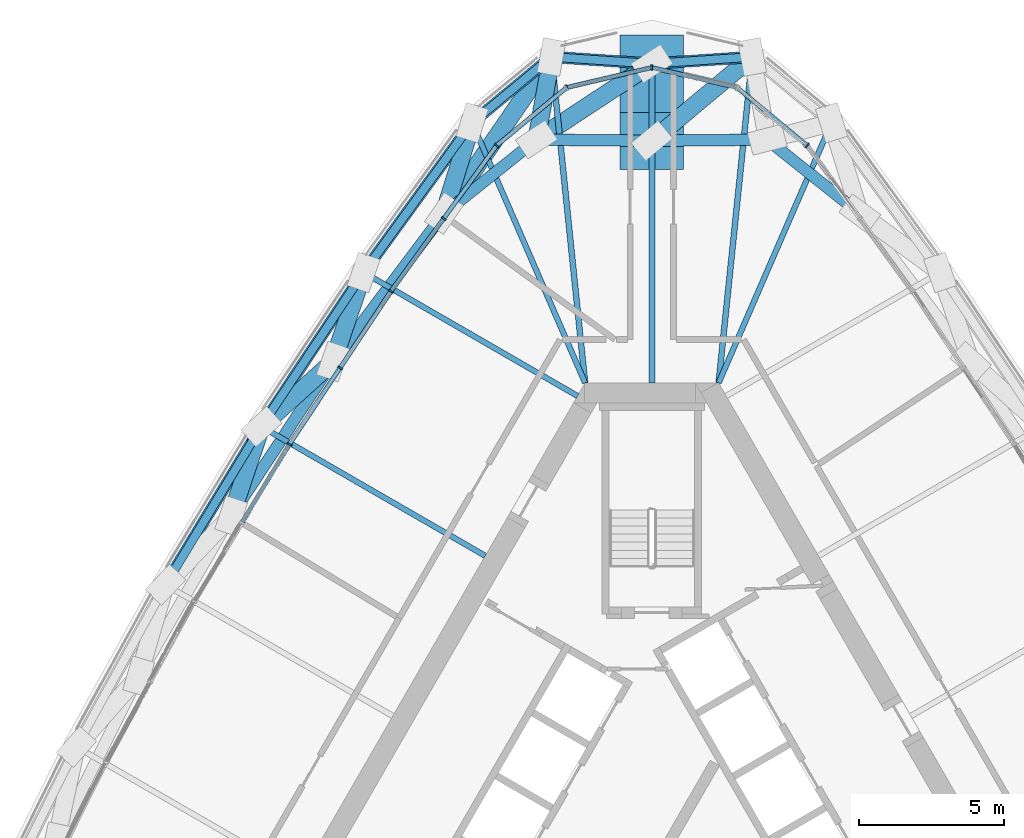
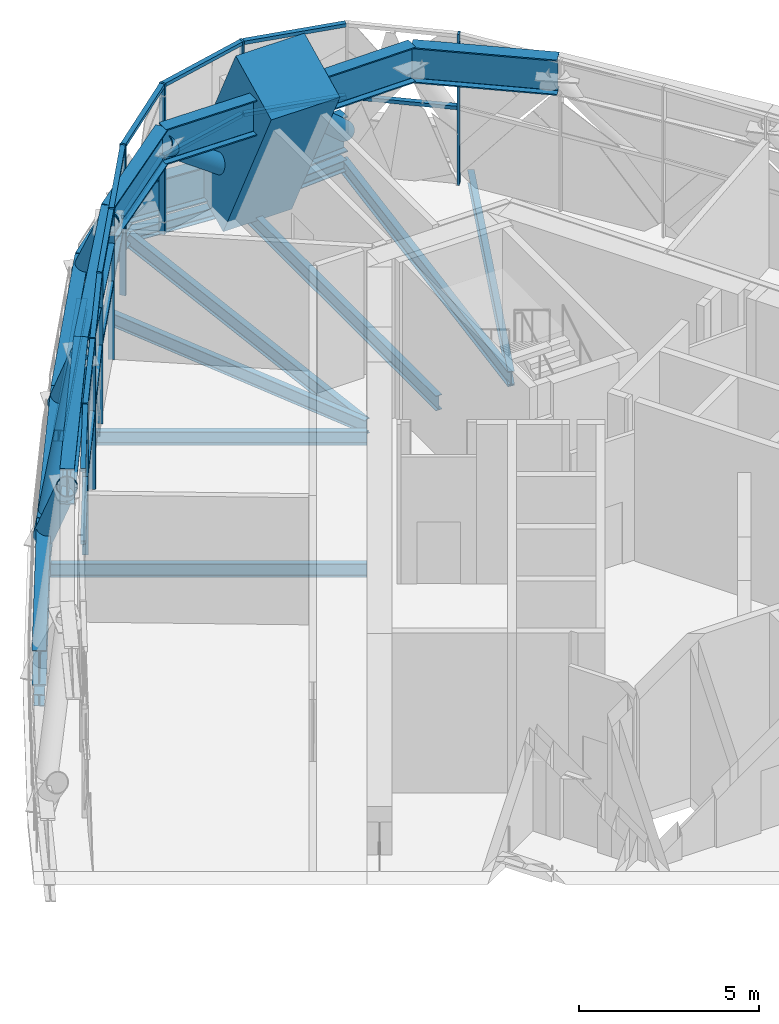
# One storey, part 7 of 33: 46 members, 13 beams, 2 elements without a shape of their own.
"""IFC4 building model written with IfcOpenShell, lengths in metres."""

from ifc_helpers import new_model, si_unit, direction, frame, origin, origin_2d, place, context, subcontext, project, spatial, rectangle, hollow_circle, i_section, extrude, material, material_profile, profile_set, type_object, element, aggregate, save


model = new_model("IFC4")

# Units and contexts
model_context = context("Model", 3, precision=1e-05, world=origin(), true_north=direction((0.0, 1.0)))
body_context = subcontext(model_context, "Body", "Model", "MODEL_VIEW")
ifc_project = project(units=[si_unit("LENGTHUNIT", "METRE"), si_unit("AREAUNIT", "SQUARE_METRE"), si_unit("VOLUMEUNIT", "CUBIC_METRE"), si_unit("PLANEANGLEUNIT", "RADIAN"), si_unit("MASSUNIT", "GRAM", prefix="KILO")], contexts=[model_context])

# Site, building, storey
site_placement = place(None, origin())
site = spatial("IfcSite", under=ifc_project, at=site_placement, CompositionType="ELEMENT")
building_placement = place(site_placement, origin())
building = spatial("IfcBuilding", under=site, at=building_placement, Name="Mestral Congress Tower", CompositionType="ELEMENT")
storey_placement = place(building_placement, frame((0.0, 0.0, 256.199951171875)))
storey = spatial("IfcBuildingStorey", under=building, at=storey_placement, Name="L60", CompositionType="ELEMENT", Elevation=256.199951171875)

# Members
ifc_material_1 = material(Name="Steel S355", Category="steel")
ifc_material_profile_1 = material_profile(ifc_material_1, i_section(OverallWidth=0.39990234375, OverallDepth=1.199951171875, WebThickness=0.02001953125, FlangeThickness=0.0400390625, FilletRadius=0.010009765625, at=origin_2d()), Name="WPG 1200")
ifc_profile_set_1 = profile_set([ifc_material_profile_1], Name="Steel S355")
member_type_1 = type_object("IfcMemberType", Name="Belt chord WPG 1200 S355", PredefinedType="CHORD", material=ifc_profile_set_1)
for number, where, z_axis, x_axis, name in (
    (1, (3.47216796875, 27.97900390625, 0.60009765625), (-0.997724843222, -0.067417632846, 0.0), (0.067417632846, -0.997724843222, 0.0), "MB-L60-BC4-N1"),
    (2, (0.0, 27.744384765625, 0.60009765625), (-0.997724843222, 0.067417632846, 0.0), (-0.067417632846, -0.997724843222, 0.0), "MB-L60-BC4-N"),
):
    element("IfcMember", number, at=place(storey_placement, frame(where, z_axis=z_axis, x_axis=x_axis)), inside=storey, type_object=member_type_1, Name=name, PredefinedType="CHORD", context=body_context, shape_type="SweptSolid", body=[
        extrude(i_section(OverallWidth=0.39990234375, OverallDepth=1.199951171875, WebThickness=0.02001953125, FlangeThickness=0.0400390625, FilletRadius=0.010009765625, at=origin_2d()), origin(), (0.0, 0.0, 1.0), 3.47998046875),
    ])
member_1_placement = place(storey_placement, frame((-3.47216796875, 27.97900390625, 0.60009765625), z_axis=(-0.769974479924, -0.638074682358, 0.0), x_axis=(0.638074682358, -0.769974479924, 0.0)))
element("IfcMember", 3, at=member_1_placement, inside=storey, type_object=member_type_1, Name="MB-L60-BC4-N3", PredefinedType="CHORD", context=body_context, shape_type="SweptSolid", body=[
    extrude(i_section(OverallWidth=0.39990234375, OverallDepth=1.199951171875, WebThickness=0.02001953125, FlangeThickness=0.0400390625, FilletRadius=0.010009765625, at=origin_2d()), origin(), (0.0, 0.0, 1.0), 3.56689453125),
])
for number, where, z_axis, x_axis, name in (
    (4, (-6.218505859375, 25.703125, 0.60009765625), (-0.58698695142, -0.80959639257, 0.0), (0.80959639257, -0.58698695142, 0.0), "MB-L60-BC4-W00"),
    (5, (-9.974853515625, 20.522216796875, 0.60009765625), (-0.552911723663, -0.833239836923, 0.0), (0.833239836923, -0.552911723663, 0.0), "MB-L60-BC4-W01"),
):
    element("IfcMember", number, at=place(storey_placement, frame(where, z_axis=z_axis, x_axis=x_axis)), inside=storey, type_object=member_type_1, Name=name, PredefinedType="CHORD", context=body_context, shape_type="SweptSolid", body=[
        extrude(i_section(OverallWidth=0.39990234375, OverallDepth=1.199951171875, WebThickness=0.02001953125, FlangeThickness=0.0400390625, FilletRadius=0.010009765625, at=origin_2d()), origin(), (0.0, 0.0, 1.0), 6.3994140625),
    ])
member_2_placement = place(storey_placement, frame((-13.51318359375, 15.18994140625, 0.60009765625), z_axis=(-0.517874683363, -0.855456493535, 0.0), x_axis=(0.855456493535, -0.517874683363, 0.0)))
element("IfcMember", 6, at=member_2_placement, inside=storey, type_object=member_type_1, Name="MB-L60-BC4-W02", PredefinedType="CHORD", context=body_context, shape_type="SweptSolid", body=[
    extrude(i_section(OverallWidth=0.39990234375, OverallDepth=1.199951171875, WebThickness=0.02001953125, FlangeThickness=0.0400390625, FilletRadius=0.010009765625, at=origin_2d()), origin(), (0.0, 0.0, 1.0), 6.399658203125),
])
member_3_placement = place(storey_placement, frame((7.1953125, 22.56103515625, 4.5), z_axis=(-0.781624111354, 0.623749748336, 0.0), x_axis=(-0.623749748336, -0.781624111354, 0.0)))
element("IfcMember", 7, at=member_3_placement, inside=storey, type_object=member_type_1, Name="MB-L60-TC4-E05", PredefinedType="CHORD", context=body_context, shape_type="SweptSolid", body=[
    extrude(i_section(OverallWidth=0.39990234375, OverallDepth=1.199951171875, WebThickness=0.02001953125, FlangeThickness=0.0400390625, FilletRadius=0.010009765625, at=origin_2d()), origin(), (0.0, 0.0, 1.0), 4.096435546875),
])
for number, where, z_axis, x_axis, name in (
    (8, (3.993408203125, 25.1162109375, 4.5), (-0.999954523999, -0.009536767484, 0.0), (0.009536767484, -0.999954523999, 0.0), "MB-L60-TC4-N1"),
    (9, (0.0, 25.078125, 4.5), (-0.999954523999, 0.009536767484, 0.0), (-0.009536767484, -0.999954523999, 0.0), "MB-L60-TC4-N"),
):
    element("IfcMember", number, at=place(storey_placement, frame(where, z_axis=z_axis, x_axis=x_axis)), inside=storey, type_object=member_type_1, Name=name, PredefinedType="CHORD", context=body_context, shape_type="SweptSolid", body=[
        extrude(i_section(OverallWidth=0.39990234375, OverallDepth=1.199951171875, WebThickness=0.02001953125, FlangeThickness=0.0400390625, FilletRadius=0.010009765625, at=origin_2d()), origin(), (0.0, 0.0, 1.0), 3.99365234375),
    ])
member_4_placement = place(storey_placement, frame((-3.993408203125, 25.1162109375, 4.5), z_axis=(-0.781624111354, -0.623749748336, 0.0), x_axis=(0.623749748336, -0.781624111354, 0.0)))
element("IfcMember", 10, at=member_4_placement, inside=storey, type_object=member_type_1, Name="MB-L60-TC4-N3", PredefinedType="CHORD", context=body_context, shape_type="SweptSolid", body=[
    extrude(i_section(OverallWidth=0.39990234375, OverallDepth=1.199951171875, WebThickness=0.02001953125, FlangeThickness=0.0400390625, FilletRadius=0.010009765625, at=origin_2d()), origin(), (0.0, 0.0, 1.0), 4.096435546875),
])
for number, where, z_axis, x_axis, name in (
    (11, (-7.1953125, 22.56103515625, 4.5), (-0.599566499574, -0.800324941876, 0.0), (0.800324941876, -0.599566499574, 0.0), "MB-L60-TC4-W00"),
    (12, (-11.031982421875, 17.439697265625, 4.5), (-0.550723144035, -0.834687976806, 0.0), (0.834687976806, -0.550723144035, 0.0), "MB-L60-TC4-W01"),
):
    element("IfcMember", number, at=place(storey_placement, frame(where, z_axis=z_axis, x_axis=x_axis)), inside=storey, type_object=member_type_1, Name=name, PredefinedType="CHORD", context=body_context, shape_type="SweptSolid", body=[
        extrude(i_section(OverallWidth=0.39990234375, OverallDepth=1.199951171875, WebThickness=0.02001953125, FlangeThickness=0.0400390625, FilletRadius=0.010009765625, at=origin_2d()), origin(), (0.0, 0.0, 1.0), 6.399169921875),
    ])
ifc_material_profile_2 = material_profile(ifc_material_1, hollow_circle(Radius=0.304931640625, WallThickness=0.02490234375, at=origin_2d()), Name="CHS 610x25")
ifc_profile_set_2 = profile_set([ifc_material_profile_2], Name="Steel S355")
member_type_2 = type_object("IfcMemberType", Name="Belt diagonal CHS 610x25 S355", PredefinedType="BRACE", material=ifc_profile_set_2)
member_5_placement = place(storey_placement, frame((3.47216796875, 27.97900390625, 0.60009765625), z_axis=(-0.581281573418, -0.485641095159, 0.652889316115), x_axis=(0.641149861727, -0.767415698828, 0.0)))
element("IfcMember", 13, at=member_5_placement, inside=storey, type_object=member_type_2, Name="MD-L60-BD4-N1.N", PredefinedType="BRACE", context=body_context, shape_type="SweptSolid", body=[
    extrude(hollow_circle(Radius=0.304931640625, WallThickness=0.02490234375, at=origin_2d()), origin(), (0.0, 0.0, 1.0), 5.973388671875),
])
member_6_placement = place(storey_placement, frame((0.0, 27.744384765625, 0.60009765625), z_axis=(-0.64727282998, -0.425988385079, 0.632116903228), x_axis=(0.549752495877, -0.835327596382, 0.0)))
element("IfcMember", 14, at=member_6_placement, inside=storey, type_object=member_type_2, Name="MD-L60-BD4-N.N3", PredefinedType="BRACE", context=body_context, shape_type="SweptSolid", body=[
    extrude(hollow_circle(Radius=0.304931640625, WallThickness=0.02490234375, at=origin_2d()), origin(), (0.0, 0.0, 1.0), 6.169677734375),
])
member_7_placement = place(storey_placement, frame((-3.47216796875, 27.97900390625, 0.60009765625), z_axis=(-0.107122095193, -0.588343647882, 0.801484004031), x_axis=(0.983825580092, -0.179129081826, 0.0)))
element("IfcMember", 15, at=member_7_placement, inside=storey, type_object=member_type_2, Name="MD-L60-BD4-N3.N3", PredefinedType="BRACE", context=body_context, shape_type="SweptSolid", body=[
    extrude(hollow_circle(Radius=0.304931640625, WallThickness=0.02490234375, at=origin_2d()), origin(), (0.0, 0.0, 1.0), 4.865966796875),
])
member_8_placement = place(storey_placement, frame((-3.47216796875, 27.97900390625, 0.60009765625), z_axis=(-0.487089694558, -0.708819311582, 0.510214477434), x_axis=(0.824163268254, -0.566352281943, 0.0)))
element("IfcMember", 16, at=member_8_placement, inside=storey, type_object=member_type_2, Name="MD-L60-BD4-N3.W00", PredefinedType="BRACE", context=body_context, shape_type="SweptSolid", body=[
    extrude(hollow_circle(Radius=0.304931640625, WallThickness=0.02490234375, at=origin_2d()), origin(), (0.0, 0.0, 1.0), 7.6435546875),
])
member_9_placement = place(storey_placement, frame((-6.218505859375, 25.703125, 0.60009765625), z_axis=(-0.191434622879, -0.615786952376, 0.764303090696), x_axis=(0.954919894336, -0.296863597299, 0.0)))
element("IfcMember", 17, at=member_9_placement, inside=storey, type_object=member_type_2, Name="MD-L60-BD4-W00.W00", PredefinedType="BRACE", context=body_context, shape_type="SweptSolid", body=[
    extrude(hollow_circle(Radius=0.304931640625, WallThickness=0.02490234375, at=origin_2d()), origin(), (0.0, 0.0, 1.0), 5.1025390625),
])
member_10_placement = place(storey_placement, frame((-9.974853515625, 20.522216796875, 0.60009765625), z_axis=(-0.208006443312, -0.606533337935, 0.767366033595), x_axis=(0.945920988554, -0.324397107591, 0.0)))
element("IfcMember", 18, at=member_10_placement, inside=storey, type_object=member_type_2, Name="MD-L60-BD4-W01.W01", PredefinedType="BRACE", context=body_context, shape_type="SweptSolid", body=[
    extrude(hollow_circle(Radius=0.304931640625, WallThickness=0.02490234375, at=origin_2d()), origin(), (0.0, 0.0, 1.0), 5.082275390625),
])
member_11_placement = place(storey_placement, frame((-13.51318359375, 15.18994140625, 0.60009765625), z_axis=(0.482656382674, 0.437634415659, 0.75862964251), x_axis=(-0.671710761631, 0.740813507375, 0.0)))
element("IfcMember", 19, at=member_11_placement, inside=storey, type_object=member_type_2, Name="MD-L60-BD4-W02.W01", PredefinedType="BRACE", context=body_context, shape_type="SweptSolid", body=[
    extrude(hollow_circle(Radius=0.304931640625, WallThickness=0.02490234375, at=origin_2d()), origin(), (0.0, 0.0, 1.0), 5.140625),
])
member_12_placement = place(storey_placement, frame((-13.51318359375, 15.18994140625, 0.60009765625), z_axis=(-0.205116866424, -0.608004419365, 0.766979593693), x_axis=(0.947532230317, -0.319660245433, 0.0)))
element("IfcMember", 20, at=member_12_placement, inside=storey, type_object=member_type_2, Name="MD-L60-BD4-W02.W02", PredefinedType="BRACE", context=body_context, shape_type="SweptSolid", body=[
    extrude(hollow_circle(Radius=0.304931640625, WallThickness=0.02490234375, at=origin_2d()), origin(), (0.0, 0.0, 1.0), 5.084716796875),
])

# Curtain wall, members
ifc_material_2 = material(Name="Clear low-emissivity double glazing", Category="glass")
curtain_wall_type = type_object("IfcCurtainWallType", Name="Facade refuge band screen", PredefinedType="USERDEFINED", material=ifc_material_2)
placement = place(storey_placement, origin())
curtain_wall_1 = element("IfcCurtainWall", 21, at=placement, inside=storey, type_object=curtain_wall_type, Name="Facade refuge band screen face 3", ObjectType="CURTAIN WALL", PredefinedType="USERDEFINED")
ifc_material_3 = material(Name="Anodised aluminium", Category="aluminium")
ifc_material_profile_3 = material_profile(ifc_material_3, rectangle(XDim=0.179931640625, YDim=0.06005859375, at=origin_2d()), Name="CW3 mullion 180 x 60")
ifc_profile_set_3 = profile_set([ifc_material_profile_3], Name="Anodised aluminium")
member_type_3 = type_object("IfcMemberType", Name="Facade refuge band screen mullion", PredefinedType="MULLION", material=ifc_profile_set_3)
member_13_placement = place(storey_placement, frame((-7.201416015625, 22.388427734375, 0.0), z_axis=(0.0, 0.0, 1.0), x_axis=(-0.80957983036, 0.587009794019, 0.0)))
member_13 = element("IfcMember", 22, at=member_13_placement, type_object=member_type_3, Name="Facade refuge band screen mullion", PredefinedType="MULLION", context=body_context, shape_type="SweptSolid", body=[
    extrude(rectangle(XDim=0.179931640625, YDim=0.06005859375, at=origin_2d()), origin(), (0.0, 0.0, 1.0), 5.10009765625),
])
member_14_placement = place(storey_placement, frame((-9.02978515625, 19.866455078125, 0.0), z_axis=(0.0, 0.0, 1.0), x_axis=(-0.821586248532, 0.570084236076, 0.0)))
member_14 = element("IfcMember", 23, at=member_14_placement, type_object=member_type_3, Name="Facade refuge band screen mullion", PredefinedType="MULLION", context=body_context, shape_type="SweptSolid", body=[
    extrude(rectangle(XDim=0.179931640625, YDim=0.06005859375, at=origin_2d()), origin(), (0.0, 0.0, 1.0), 5.10009765625),
])
member_15_placement = place(storey_placement, frame((-10.785888671875, 17.22021484375, 0.0), z_axis=(0.0, 0.0, 1.0), x_axis=(-0.833238868178, 0.552913183563, 0.0)))
member_15 = element("IfcMember", 24, at=member_15_placement, type_object=member_type_3, Name="Facade refuge band screen mullion", PredefinedType="MULLION", context=body_context, shape_type="SweptSolid", body=[
    extrude(rectangle(XDim=0.179931640625, YDim=0.06005859375, at=origin_2d()), origin(), (0.0, 0.0, 1.0), 5.10009765625),
])
member_16_placement = place(storey_placement, frame((-12.5419921875, 14.573974609375, 0.0), z_axis=(0.0, 0.0, 1.0), x_axis=(-0.844533605975, 0.535502556837, 0.0)))
member_16 = element("IfcMember", 25, at=member_16_placement, type_object=member_type_3, Name="Facade refuge band screen mullion", PredefinedType="MULLION", context=body_context, shape_type="SweptSolid", body=[
    extrude(rectangle(XDim=0.179931640625, YDim=0.06005859375, at=origin_2d()), origin(), (0.0, 0.0, 1.0), 5.10009765625),
])

curtain_wall_2 = element("IfcCurtainWall", 26, at=placement, inside=storey, type_object=curtain_wall_type, Name="Facade refuge band screen corner 2", ObjectType="CURTAIN WALL", PredefinedType="USERDEFINED")
member_17_placement = place(storey_placement, frame((5.37255859375, 24.910400390625, 0.0), z_axis=(0.0, 0.0, 1.0), x_axis=(0.638088083599, 0.769963374174, 0.0)))
member_17 = element("IfcMember", 27, at=member_17_placement, type_object=member_type_3, Name="Facade refuge band screen mullion", PredefinedType="MULLION", context=body_context, shape_type="SweptSolid", body=[
    extrude(rectangle(XDim=0.179931640625, YDim=0.06005859375, at=origin_2d()), origin(), (0.0, 0.0, 1.0), 5.10009765625),
])
member_18_placement = place(storey_placement, frame((0.0, 27.61328125, 0.0), z_axis=(0.0, 0.0, 1.0), x_axis=(0.0, 1.0, 0.0)))
member_18 = element("IfcMember", 28, at=member_18_placement, type_object=member_type_3, Name="Facade refuge band screen mullion", PredefinedType="MULLION", context=body_context, shape_type="SweptSolid", body=[
    extrude(rectangle(XDim=0.179931640625, YDim=0.06005859375, at=origin_2d()), origin(), (0.0, 0.0, 1.0), 5.10009765625),
])
member_19_placement = place(storey_placement, frame((-2.9462890625, 26.921142578125, 0.0), z_axis=(0.0, 0.0, 1.0), x_axis=(-0.445149435481, 0.895456297142, 0.0)))
member_19 = element("IfcMember", 29, at=member_19_placement, type_object=member_type_3, Name="Facade refuge band screen mullion", PredefinedType="MULLION", context=body_context, shape_type="SweptSolid", body=[
    extrude(rectangle(XDim=0.179931640625, YDim=0.06005859375, at=origin_2d()), origin(), (0.0, 0.0, 1.0), 5.10009765625),
])
member_20_placement = place(storey_placement, frame((-5.37255859375, 24.910400390625, 0.0), z_axis=(0.0, 0.0, 1.0), x_axis=(-0.638088083599, 0.769963374174, 0.0)))
member_20 = element("IfcMember", 30, at=member_20_placement, type_object=member_type_3, Name="Facade refuge band screen mullion", PredefinedType="MULLION", context=body_context, shape_type="SweptSolid", body=[
    extrude(rectangle(XDim=0.179931640625, YDim=0.06005859375, at=origin_2d()), origin(), (0.0, 0.0, 1.0), 5.10009765625),
])

# Member
ifc_material_profile_4 = material_profile(ifc_material_3, rectangle(XDim=0.14990234375, YDim=0.1201171875, at=origin_2d()), Name="CW3 transom 150 x 120")
ifc_profile_set_4 = profile_set([ifc_material_profile_4], Name="Anodised aluminium")
member_type_4 = type_object("IfcMemberType", Name="Facade refuge band screen transom", PredefinedType="USERDEFINED", material=ifc_profile_set_4)
member_21_placement = place(storey_placement, frame((-5.390380859375, 24.88623046875, 2.60009765625), z_axis=(-0.58696888099, -0.809609493984, 0.0), x_axis=(0.809609493984, -0.58696888099, 0.0)))
member_21 = element("IfcMember", 31, at=member_21_placement, type_object=member_type_4, Name="Facade refuge band screen transom", ObjectType="TRANSOM", PredefinedType="USERDEFINED", context=body_context, shape_type="SweptSolid", body=[
    extrude(rectangle(XDim=0.14990234375, YDim=0.1201171875, at=origin_2d()), origin(), (0.0, 0.0, 1.0), 3.054931640625),
])

member_22_placement = place(storey_placement, frame((-5.390380859375, 24.88623046875, 5.0400390625), z_axis=(-0.58696888099, -0.809609493984, 0.0), x_axis=(0.809609493984, -0.58696888099, 0.0)))
member_22 = element("IfcMember", 32, at=member_22_placement, type_object=member_type_4, Name="Facade refuge band screen transom", ObjectType="TRANSOM", PredefinedType="USERDEFINED", context=body_context, shape_type="SweptSolid", body=[
    extrude(rectangle(XDim=0.14990234375, YDim=0.1201171875, at=origin_2d()), origin(), (0.0, 0.0, 1.0), 3.054931640625),
])

member_23_placement = place(storey_placement, frame((-7.218994140625, 22.3642578125, 2.60009765625), z_axis=(-0.58696888099, -0.809609493984, 0.0), x_axis=(0.809609493984, -0.58696888099, 0.0)))
member_23 = element("IfcMember", 33, at=member_23_placement, type_object=member_type_4, Name="Facade refuge band screen transom", ObjectType="TRANSOM", PredefinedType="USERDEFINED", context=body_context, shape_type="SweptSolid", body=[
    extrude(rectangle(XDim=0.14990234375, YDim=0.1201171875, at=origin_2d()), origin(), (0.0, 0.0, 1.0), 3.054931640625),
])

member_24_placement = place(storey_placement, frame((-7.218994140625, 22.3642578125, 5.0400390625), z_axis=(-0.58696888099, -0.809609493984, 0.0), x_axis=(0.809609493984, -0.58696888099, 0.0)))
member_24 = element("IfcMember", 34, at=member_24_placement, type_object=member_type_4, Name="Facade refuge band screen transom", ObjectType="TRANSOM", PredefinedType="USERDEFINED", context=body_context, shape_type="SweptSolid", body=[
    extrude(rectangle(XDim=0.14990234375, YDim=0.1201171875, at=origin_2d()), origin(), (0.0, 0.0, 1.0), 3.054931640625),
])

member_25_placement = place(storey_placement, frame((-9.04638671875, 19.841552734375, 2.60009765625), z_axis=(-0.552908939188, -0.833241684606, 0.0), x_axis=(0.833241684606, -0.552908939188, 0.0)))
member_25 = element("IfcMember", 35, at=member_25_placement, type_object=member_type_4, Name="Facade refuge band screen transom", ObjectType="TRANSOM", PredefinedType="USERDEFINED", context=body_context, shape_type="SweptSolid", body=[
    extrude(rectangle(XDim=0.14990234375, YDim=0.1201171875, at=origin_2d()), origin(), (0.0, 0.0, 1.0), 3.115966796875),
])

member_26_placement = place(storey_placement, frame((-9.04638671875, 19.841552734375, 5.0400390625), z_axis=(-0.552908939188, -0.833241684606, 0.0), x_axis=(0.833241684606, -0.552908939188, 0.0)))
member_26 = element("IfcMember", 36, at=member_26_placement, type_object=member_type_4, Name="Facade refuge band screen transom", ObjectType="TRANSOM", PredefinedType="USERDEFINED", context=body_context, shape_type="SweptSolid", body=[
    extrude(rectangle(XDim=0.14990234375, YDim=0.1201171875, at=origin_2d()), origin(), (0.0, 0.0, 1.0), 3.115966796875),
])

member_27_placement = place(storey_placement, frame((-10.802490234375, 17.1953125, 2.60009765625), z_axis=(-0.552908939188, -0.833241684606, 0.0), x_axis=(0.833241684606, -0.552908939188, 0.0)))
member_27 = element("IfcMember", 37, at=member_27_placement, type_object=member_type_4, Name="Facade refuge band screen transom", ObjectType="TRANSOM", PredefinedType="USERDEFINED", context=body_context, shape_type="SweptSolid", body=[
    extrude(rectangle(XDim=0.14990234375, YDim=0.1201171875, at=origin_2d()), origin(), (0.0, 0.0, 1.0), 3.115966796875),
])

member_28_placement = place(storey_placement, frame((-10.802490234375, 17.1953125, 5.0400390625), z_axis=(-0.552908939188, -0.833241684606, 0.0), x_axis=(0.833241684606, -0.552908939188, 0.0)))
member_28 = element("IfcMember", 38, at=member_28_placement, type_object=member_type_4, Name="Facade refuge band screen transom", ObjectType="TRANSOM", PredefinedType="USERDEFINED", context=body_context, shape_type="SweptSolid", body=[
    extrude(rectangle(XDim=0.14990234375, YDim=0.1201171875, at=origin_2d()), origin(), (0.0, 0.0, 1.0), 3.115966796875),
])

member_29_placement = place(storey_placement, frame((-12.557373046875, 14.54833984375, 2.60009765625), z_axis=(-0.517902273022, -0.85543979075, 0.0), x_axis=(0.85543979075, -0.517902273022, 0.0)))
member_29 = element("IfcMember", 39, at=member_29_placement, type_object=member_type_4, Name="Facade refuge band screen transom", ObjectType="TRANSOM", PredefinedType="USERDEFINED", context=body_context, shape_type="SweptSolid", body=[
    extrude(rectangle(XDim=0.14990234375, YDim=0.1201171875, at=origin_2d()), origin(), (0.0, 0.0, 1.0), 3.115966796875),
])

member_30_placement = place(storey_placement, frame((-12.557373046875, 14.54833984375, 5.0400390625), z_axis=(-0.517902273022, -0.85543979075, 0.0), x_axis=(0.85543979075, -0.517902273022, 0.0)))
member_30 = element("IfcMember", 40, at=member_30_placement, type_object=member_type_4, Name="Facade refuge band screen transom", ObjectType="TRANSOM", PredefinedType="USERDEFINED", context=body_context, shape_type="SweptSolid", body=[
    extrude(rectangle(XDim=0.14990234375, YDim=0.1201171875, at=origin_2d()), origin(), (0.0, 0.0, 1.0), 3.115966796875),
])

aggregate(curtain_wall_1, [member_13, member_14, member_15, member_16, member_21, member_22, member_23, member_24, member_25, member_26, member_27, member_28, member_29, member_30])

member_31_placement = place(storey_placement, frame((5.349609375, 24.9296875, 2.60009765625), z_axis=(-0.769972779344, 0.638076734467, 0.0), x_axis=(-0.638076734467, -0.769972779344, 0.0)))
member_31 = element("IfcMember", 41, at=member_31_placement, type_object=member_type_4, Name="Facade refuge band screen transom", ObjectType="TRANSOM", PredefinedType="USERDEFINED", context=body_context, shape_type="SweptSolid", body=[
    extrude(rectangle(XDim=0.14990234375, YDim=0.1201171875, at=origin_2d()), origin(), (0.0, 0.0, 1.0), 3.091064453125),
])

member_32_placement = place(storey_placement, frame((2.9169921875, 26.927978515625, 2.60009765625), z_axis=(-0.973509918237, 0.228644788034, 0.0), x_axis=(-0.228644788034, -0.973509918237, 0.0)))
member_32 = element("IfcMember", 42, at=member_32_placement, type_object=member_type_4, Name="Facade refuge band screen transom", ObjectType="TRANSOM", PredefinedType="USERDEFINED", context=body_context, shape_type="SweptSolid", body=[
    extrude(rectangle(XDim=0.14990234375, YDim=0.1201171875, at=origin_2d()), origin(), (0.0, 0.0, 1.0), 2.96630859375),
])

member_33_placement = place(storey_placement, frame((2.9169921875, 26.927978515625, 5.0400390625), z_axis=(-0.973509918237, 0.228644788034, 0.0), x_axis=(-0.228644788034, -0.973509918237, 0.0)))
member_33 = element("IfcMember", 43, at=member_33_placement, type_object=member_type_4, Name="Facade refuge band screen transom", ObjectType="TRANSOM", PredefinedType="USERDEFINED", context=body_context, shape_type="SweptSolid", body=[
    extrude(rectangle(XDim=0.14990234375, YDim=0.1201171875, at=origin_2d()), origin(), (0.0, 0.0, 1.0), 2.96630859375),
])

member_34_placement = place(storey_placement, frame((-0.029296875, 27.606201171875, 2.60009765625), z_axis=(-0.973509918237, -0.228644788034, 0.0), x_axis=(0.228644788034, -0.973509918237, 0.0)))
member_34 = element("IfcMember", 44, at=member_34_placement, type_object=member_type_4, Name="Facade refuge band screen transom", ObjectType="TRANSOM", PredefinedType="USERDEFINED", context=body_context, shape_type="SweptSolid", body=[
    extrude(rectangle(XDim=0.14990234375, YDim=0.1201171875, at=origin_2d()), origin(), (0.0, 0.0, 1.0), 2.96630859375),
])

member_35_placement = place(storey_placement, frame((-0.029296875, 27.606201171875, 5.0400390625), z_axis=(-0.973509918237, -0.228644788034, 0.0), x_axis=(0.228644788034, -0.973509918237, 0.0)))
member_35 = element("IfcMember", 45, at=member_35_placement, type_object=member_type_4, Name="Facade refuge band screen transom", ObjectType="TRANSOM", PredefinedType="USERDEFINED", context=body_context, shape_type="SweptSolid", body=[
    extrude(rectangle(XDim=0.14990234375, YDim=0.1201171875, at=origin_2d()), origin(), (0.0, 0.0, 1.0), 2.96630859375),
])

member_36_placement = place(storey_placement, frame((-2.969482421875, 26.902099609375, 2.60009765625), z_axis=(-0.769972779344, -0.638076734467, 0.0), x_axis=(0.638076734467, -0.769972779344, 0.0)))
member_36 = element("IfcMember", 46, at=member_36_placement, type_object=member_type_4, Name="Facade refuge band screen transom", ObjectType="TRANSOM", PredefinedType="USERDEFINED", context=body_context, shape_type="SweptSolid", body=[
    extrude(rectangle(XDim=0.14990234375, YDim=0.1201171875, at=origin_2d()), origin(), (0.0, 0.0, 1.0), 3.091064453125),
])

member_37_placement = place(storey_placement, frame((-2.969482421875, 26.902099609375, 5.0400390625), z_axis=(-0.769972779344, -0.638076734467, 0.0), x_axis=(0.638076734467, -0.769972779344, 0.0)))
member_37 = element("IfcMember", 47, at=member_37_placement, type_object=member_type_4, Name="Facade refuge band screen transom", ObjectType="TRANSOM", PredefinedType="USERDEFINED", context=body_context, shape_type="SweptSolid", body=[
    extrude(rectangle(XDim=0.14990234375, YDim=0.1201171875, at=origin_2d()), origin(), (0.0, 0.0, 1.0), 3.091064453125),
])

aggregate(curtain_wall_2, [member_17, member_18, member_19, member_20, member_31, member_32, member_33, member_34, member_35, member_36, member_37])

# Beams
ifc_material_profile_5 = material_profile(ifc_material_1, i_section(OverallWidth=0.18994140625, OverallDepth=0.449951171875, WebThickness=0.009521484375, FlangeThickness=0.0146484375, FilletRadius=0.02099609375, at=origin_2d()), Name="IPE 450")
ifc_profile_set_5 = profile_set([ifc_material_profile_5], Name="Steel S355")
beam_type_1 = type_object("IfcBeamType", Name="Floor beam IPE 450 S355", PredefinedType="BEAM", material=ifc_profile_set_5)
for number, where, z_axis, x_axis, name in (
    (48, (6.218505859375, 25.703125, -0.52490234375), (-0.398276756213, -0.917265297207, 0.0), (0.917265297207, -0.398276756213, 0.0), "BM-L60-RB4-E06"),
    (49, (-6.218505859375, 25.703125, -0.52490234375), (0.398276756213, -0.917265297207, 0.0), (0.917265297207, 0.398276756213, 0.0), "BM-L60-RB4-W00"),
):
    element("IfcBeam", number, at=place(storey_placement, frame(where, z_axis=z_axis, x_axis=x_axis)), inside=storey, type_object=beam_type_1, Name=name, PredefinedType="BEAM", context=body_context, shape_type="SweptSolid", body=[
        extrude(i_section(OverallWidth=0.18994140625, OverallDepth=0.449951171875, WebThickness=0.009521484375, FlangeThickness=0.0146484375, FilletRadius=0.02099609375, at=origin_2d()), origin(), (0.0, 0.0, 1.0), 9.815185546875),
    ])
beam_1_placement = place(storey_placement, frame((-9.974853515625, 20.522216796875, -0.52490234375), z_axis=(0.866016768042, -0.500014957246, 0.0), x_axis=(0.500014957246, 0.866016768042, 0.0)))
element("IfcBeam", 50, at=beam_1_placement, inside=storey, type_object=beam_type_1, Name="BM-L60-RB4-W01", PredefinedType="BEAM", context=body_context, shape_type="SweptSolid", body=[
    extrude(i_section(OverallWidth=0.18994140625, OverallDepth=0.449951171875, WebThickness=0.009521484375, FlangeThickness=0.0146484375, FilletRadius=0.02099609375, at=origin_2d()), origin(), (0.0, 0.0, 1.0), 8.549560546875),
])
beam_2_placement = place(storey_placement, frame((-13.51318359375, 15.18994140625, -0.52490234375), z_axis=(0.866026556242, -0.49999800388, 0.0), x_axis=(0.49999800388, 0.866026556242, 0.0)))
element("IfcBeam", 51, at=beam_2_placement, inside=storey, type_object=beam_type_1, Name="BM-L60-RB4-W02", PredefinedType="BEAM", context=body_context, shape_type="SweptSolid", body=[
    extrude(i_section(OverallWidth=0.18994140625, OverallDepth=0.449951171875, WebThickness=0.009521484375, FlangeThickness=0.0146484375, FilletRadius=0.02099609375, at=origin_2d()), origin(), (0.0, 0.0, 1.0), 8.94775390625),
])
ifc_material_profile_6 = material_profile(ifc_material_1, i_section(OverallWidth=0.199951171875, OverallDepth=0.5, WebThickness=0.01025390625, FlangeThickness=0.01611328125, FilletRadius=0.02099609375, at=origin_2d()), Name="IPE 500")
ifc_profile_set_6 = profile_set([ifc_material_profile_6], Name="Steel S355")
beam_type_2 = type_object("IfcBeamType", Name="Floor beam IPE 500 S355", PredefinedType="BEAM", material=ifc_profile_set_6)
beam_3_placement = place(storey_placement, frame((3.47216796875, 27.97900390625, -0.550048828125), z_axis=(-0.102553883144, -0.994727450638, 0.0), x_axis=(0.994727450638, -0.102553883144, 0.0)))
element("IfcBeam", 52, at=beam_3_placement, inside=storey, type_object=beam_type_2, Name="BM-L60-RB4-N1", PredefinedType="BEAM", context=body_context, shape_type="SweptSolid", body=[
    extrude(i_section(OverallWidth=0.199951171875, OverallDepth=0.5, WebThickness=0.01025390625, FlangeThickness=0.01611328125, FilletRadius=0.02099609375, at=origin_2d()), origin(), (0.0, 0.0, 1.0), 11.3388671875),
])
beam_4_placement = place(storey_placement, frame((0.0, 27.744384765625, -0.550048828125), z_axis=(0.0, -1.0, 0.0), x_axis=(1.0, 0.0, 0.0)))
element("IfcBeam", 53, at=beam_4_placement, inside=storey, type_object=beam_type_2, Name="BM-L60-RB4-N", PredefinedType="BEAM", context=body_context, shape_type="SweptSolid", body=[
    extrude(i_section(OverallWidth=0.199951171875, OverallDepth=0.5, WebThickness=0.01025390625, FlangeThickness=0.01611328125, FilletRadius=0.02099609375, at=origin_2d()), origin(), (0.0, 0.0, 1.0), 11.04443359375),
])
beam_5_placement = place(storey_placement, frame((-3.47216796875, 27.97900390625, -0.550048828125), z_axis=(0.102553883144, -0.994727450638, 0.0), x_axis=(0.994727450638, 0.102553883144, 0.0)))
element("IfcBeam", 54, at=beam_5_placement, inside=storey, type_object=beam_type_2, Name="BM-L60-RB4-N3", PredefinedType="BEAM", context=body_context, shape_type="SweptSolid", body=[
    extrude(i_section(OverallWidth=0.199951171875, OverallDepth=0.5, WebThickness=0.01025390625, FlangeThickness=0.01611328125, FilletRadius=0.02099609375, at=origin_2d()), origin(), (0.0, 0.0, 1.0), 11.3388671875),
])

# Member
ifc_material_4 = material(Name="Concrete C60/75", Category="concrete")
ifc_material_profile_7 = material_profile(ifc_material_4, rectangle(XDim=2.199951171875, YDim=2.199951171875, at=origin_2d()), Name="RC 2200x2200")
ifc_profile_set_7 = profile_set([ifc_material_profile_7], Name="Concrete C60/75")
member_type_5 = type_object("IfcMemberType", Name="Pylon shift strut RC 2200x2200 C60/75", PredefinedType="STRUT", material=ifc_profile_set_7)
member_38_placement = place(storey_placement, frame((0.0, 27.744384765625, 0.0), z_axis=(0.0, -0.442716337563, 0.896661722421), x_axis=(1.0, 0.0, 0.0)))
element("IfcMember", 55, at=member_38_placement, inside=storey, type_object=member_type_5, Name="MS-L60-PS4-N", PredefinedType="STRUT", context=body_context, shape_type="SweptSolid", body=[
    extrude(rectangle(XDim=2.199951171875, YDim=2.199951171875, at=origin_2d()), origin(), (0.0, 0.0, 1.0), 6.0224609375),
])

# Beams
ifc_material_profile_8 = material_profile(ifc_material_1, i_section(OverallWidth=0.300048828125, OverallDepth=0.389892578125, WebThickness=0.010986328125, FlangeThickness=0.01904296875, FilletRadius=0.027099609375, at=origin_2d()), Name="HEA 400")
ifc_profile_set_8 = profile_set([ifc_material_profile_8], Name="Steel S355")
beam_type_3 = type_object("IfcBeamType", Name="Spandrel beam HEA 400 S355", PredefinedType="BEAM", material=ifc_profile_set_8)
for number, where, z_axis, x_axis, name in (
    (56, (3.47216796875, 27.97900390625, -0.494873046875), (-0.997724843222, -0.067417632846, 0.0), (0.067417632846, -0.997724843222, 0.0), "SP-L60-SB4-N1"),
    (57, (0.0, 27.744384765625, -0.494873046875), (-0.997724843222, 0.067417632846, 0.0), (-0.067417632846, -0.997724843222, 0.0), "SP-L60-SB4-N"),
):
    element("IfcBeam", number, at=place(storey_placement, frame(where, z_axis=z_axis, x_axis=x_axis)), inside=storey, type_object=beam_type_3, Name=name, PredefinedType="BEAM", context=body_context, shape_type="SweptSolid", body=[
        extrude(i_section(OverallWidth=0.300048828125, OverallDepth=0.389892578125, WebThickness=0.010986328125, FlangeThickness=0.01904296875, FilletRadius=0.027099609375, at=origin_2d()), origin(), (0.0, 0.0, 1.0), 3.47998046875),
    ])
beam_6_placement = place(storey_placement, frame((-3.47216796875, 27.97900390625, -0.494873046875), z_axis=(-0.769974479924, -0.638074682358, 0.0), x_axis=(0.638074682358, -0.769974479924, 0.0)))
element("IfcBeam", 58, at=beam_6_placement, inside=storey, type_object=beam_type_3, Name="SP-L60-SB4-N3", PredefinedType="BEAM", context=body_context, shape_type="SweptSolid", body=[
    extrude(i_section(OverallWidth=0.300048828125, OverallDepth=0.389892578125, WebThickness=0.010986328125, FlangeThickness=0.01904296875, FilletRadius=0.027099609375, at=origin_2d()), origin(), (0.0, 0.0, 1.0), 3.56689453125),
])
for number, where, z_axis, x_axis, name in (
    (59, (-6.218505859375, 25.703125, -0.494873046875), (-0.58698695142, -0.80959639257, 0.0), (0.80959639257, -0.58698695142, 0.0), "SP-L60-SB4-W00"),
    (60, (-9.974853515625, 20.522216796875, -0.494873046875), (-0.552911723663, -0.833239836923, 0.0), (0.833239836923, -0.552911723663, 0.0), "SP-L60-SB4-W01"),
):
    element("IfcBeam", number, at=place(storey_placement, frame(where, z_axis=z_axis, x_axis=x_axis)), inside=storey, type_object=beam_type_3, Name=name, PredefinedType="BEAM", context=body_context, shape_type="SweptSolid", body=[
        extrude(i_section(OverallWidth=0.300048828125, OverallDepth=0.389892578125, WebThickness=0.010986328125, FlangeThickness=0.01904296875, FilletRadius=0.027099609375, at=origin_2d()), origin(), (0.0, 0.0, 1.0), 6.3994140625),
    ])
beam_7_placement = place(storey_placement, frame((-13.51318359375, 15.18994140625, -0.494873046875), z_axis=(-0.517874683363, -0.855456493535, 0.0), x_axis=(0.855456493535, -0.517874683363, 0.0)))
element("IfcBeam", 61, at=beam_7_placement, inside=storey, type_object=beam_type_3, Name="SP-L60-SB4-W02", PredefinedType="BEAM", context=body_context, shape_type="SweptSolid", body=[
    extrude(i_section(OverallWidth=0.300048828125, OverallDepth=0.389892578125, WebThickness=0.010986328125, FlangeThickness=0.01904296875, FilletRadius=0.027099609375, at=origin_2d()), origin(), (0.0, 0.0, 1.0), 6.399658203125),
])

save(model, "model.ifc")
